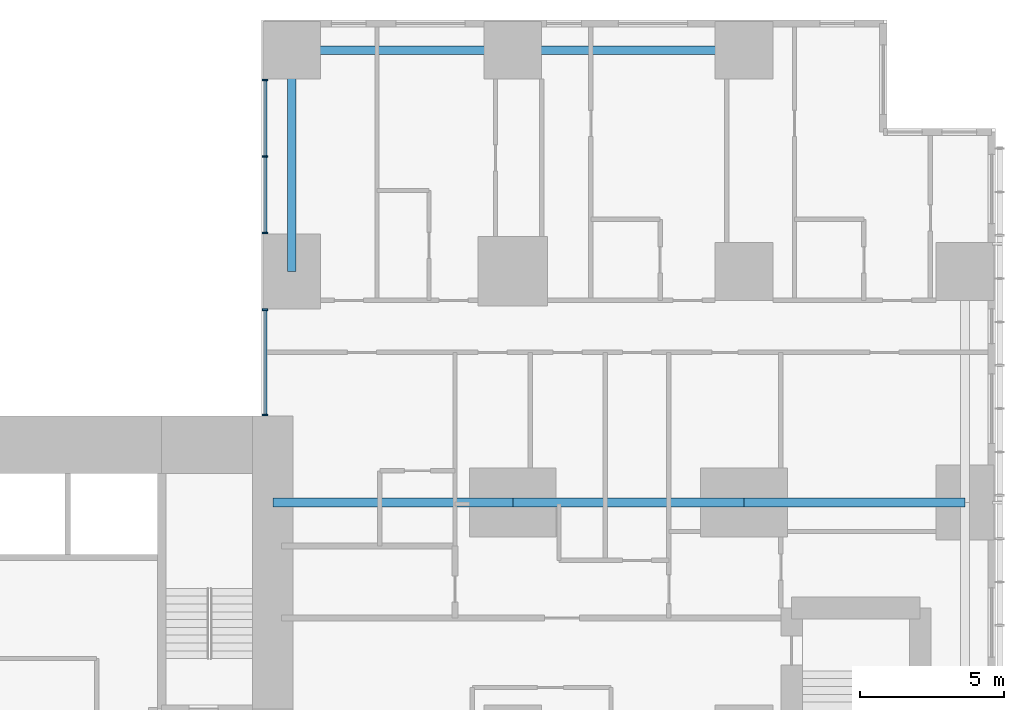
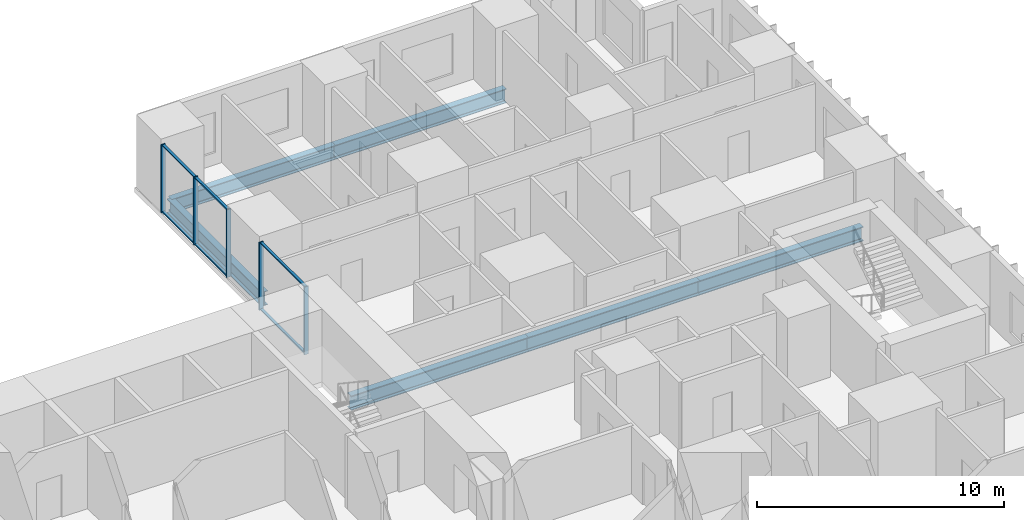
# One storey, part 5 of 20: 11 members, 6 beams, 2 elements without a shape of their own.
"""IFC4 building model written with IfcOpenShell, lengths in metres."""

from ifc_helpers import new_model, si_unit, direction, frame, origin, origin_2d, place, context, subcontext, project, spatial, rectangle, i_section, extrude, material, layer, layer_set, material_profile, profile_set, type_object, element, aggregate, save


model = new_model("IFC4")

# Units and contexts
model_context = context("Model", 3, precision=1e-05, world=origin(), true_north=direction((0.0, 1.0)))
body_context = subcontext(model_context, "Body", "Model", "MODEL_VIEW")
ifc_project = project(units=[si_unit("LENGTHUNIT", "METRE"), si_unit("AREAUNIT", "SQUARE_METRE"), si_unit("VOLUMEUNIT", "CUBIC_METRE"), si_unit("PLANEANGLEUNIT", "RADIAN"), si_unit("MASSUNIT", "GRAM", prefix="KILO")], contexts=[model_context])

# Site, building, storey
site_placement = place(None, origin())
site = spatial("IfcSite", under=ifc_project, at=site_placement, CompositionType="ELEMENT")
building_placement = place(site_placement, origin())
building = spatial("IfcBuilding", under=site, at=building_placement, Name="Cleftline Residences", CompositionType="ELEMENT")
storey_placement = place(building_placement, frame((0.0, 0.0, 62.0)))
storey = spatial("IfcBuildingStorey", under=building, at=storey_placement, Name="L15", CompositionType="ELEMENT", Elevation=62.0)

# Beams
ifc_material_1 = material(Name="Steel S355", Category="steel")
ifc_material_profile_1 = material_profile(ifc_material_1, i_section(OverallWidth=0.300048828125, OverallDepth=0.699951171875, WebThickness=0.01708984375, FlangeThickness=0.031982421875, FilletRadius=0.027099609375, at=origin_2d()))
ifc_profile_set_1 = profile_set([ifc_material_profile_1], Name="Steel S355")
beam_type_1 = type_object("IfcBeamType", Name="BEAM HEB 700", PredefinedType="BEAM", material=ifc_profile_set_1)
beam_1_placement = place(storey_placement, frame((58.0, 47.64990234375, -0.60009765625), z_axis=(-1.0, 0.0, 0.0), x_axis=(0.0, -1.0, 0.0)))
element("IfcBeam", 1, at=beam_1_placement, inside=storey, type_object=beam_type_1, Name="Edge beam", PredefinedType="BEAM", context=body_context, shape_type="SweptSolid", body=[
    extrude(i_section(OverallWidth=0.300048828125, OverallDepth=0.699951171875, WebThickness=0.01708984375, FlangeThickness=0.031982421875, FilletRadius=0.027099609375, at=origin_2d()), origin(), (0.0, 0.0, 1.0), 8.0),
])
for number, where, z_axis, x_axis, name in (
    (2, (50.0, 47.64990234375, -0.60009765625), (-1.0, 0.0, 0.0), (0.0, -1.0, 0.0), "Edge beam"),
    (3, (42.35009765625, 47.64990234375, -0.60009765625), (0.0, -1.0, 0.0), (1.0, 0.0, 0.0), "Edge beam"),
):
    element("IfcBeam", number, at=place(storey_placement, frame(where, z_axis=z_axis, x_axis=x_axis)), inside=storey, type_object=beam_type_1, Name=name, PredefinedType="BEAM", context=body_context, shape_type="SweptSolid", body=[
        extrude(i_section(OverallWidth=0.300048828125, OverallDepth=0.699951171875, WebThickness=0.01708984375, FlangeThickness=0.031982421875, FilletRadius=0.027099609375, at=origin_2d()), origin(), (0.0, 0.0, 1.0), 7.64990234375),
    ])
ifc_material_2 = material(Name="Steel S355", Category="steel")
ifc_material_profile_2 = material_profile(ifc_material_2, i_section(OverallWidth=0.303955078125, OverallDepth=0.716064453125, WebThickness=0.02099609375, FlangeThickness=0.0400390625, FilletRadius=0.027099609375, at=origin_2d()))
ifc_profile_set_2 = profile_set([ifc_material_profile_2], Name="Steel S355")
beam_type_2 = type_object("IfcBeamType", Name="BEAM HEM 700", PredefinedType="BEAM", material=ifc_profile_set_2)
beam_2_placement = place(storey_placement, frame((65.64990234375, 32.0, -0.60791015625), z_axis=(-1.0, 0.0, 0.0), x_axis=(0.0, -1.0, 0.0)))
element("IfcBeam", 4, at=beam_2_placement, inside=storey, type_object=beam_type_2, Name="Band beam", PredefinedType="BEAM", context=body_context, shape_type="SweptSolid", body=[
    extrude(i_section(OverallWidth=0.303955078125, OverallDepth=0.716064453125, WebThickness=0.02099609375, FlangeThickness=0.0400390625, FilletRadius=0.027099609375, at=origin_2d()), origin(), (0.0, 0.0, 1.0), 7.64990234375),
])
beam_3_placement = place(storey_placement, frame((58.0, 32.0, -0.60791015625), z_axis=(-1.0, 0.0, 0.0), x_axis=(0.0, -1.0, 0.0)))
element("IfcBeam", 5, at=beam_3_placement, inside=storey, type_object=beam_type_2, Name="Band beam", PredefinedType="BEAM", context=body_context, shape_type="SweptSolid", body=[
    extrude(i_section(OverallWidth=0.303955078125, OverallDepth=0.716064453125, WebThickness=0.02099609375, FlangeThickness=0.0400390625, FilletRadius=0.027099609375, at=origin_2d()), origin(), (0.0, 0.0, 1.0), 8.0),
])
beam_4_placement = place(storey_placement, frame((50.0, 32.0, -0.60791015625), z_axis=(-1.0, 0.0, 0.0), x_axis=(0.0, -1.0, 0.0)))
element("IfcBeam", 6, at=beam_4_placement, inside=storey, type_object=beam_type_2, Name="Band beam", PredefinedType="BEAM", context=body_context, shape_type="SweptSolid", body=[
    extrude(i_section(OverallWidth=0.303955078125, OverallDepth=0.716064453125, WebThickness=0.02099609375, FlangeThickness=0.0400390625, FilletRadius=0.027099609375, at=origin_2d()), origin(), (0.0, 0.0, 1.0), 8.300048828125),
])

# Curtain wall, members
ifc_material_3 = material(Name="Aluminium framed curtain wall", Category="aluminium")
ifc_layer = layer(ifc_material_3, 0.199951171875)
ifc_layer_set = layer_set([ifc_layer], Name="CW1 CLEFT GLAZING")
curtain_wall_type = type_object("IfcCurtainWallType", Name="CW1 CLEFT GLAZING", PredefinedType="NOTDEFINED", material=ifc_layer_set)
curtain_wall_1_placement = place(storey_placement, origin())
curtain_wall_1 = element("IfcCurtainWall", 7, at=curtain_wall_1_placement, inside=storey, type_object=curtain_wall_type, Name="Curtain wall CW1", PredefinedType="NOTDEFINED")
ifc_material_4 = material(Name="Aluminium mullion", Category="aluminium")
ifc_material_profile_3 = material_profile(ifc_material_4, rectangle(XDim=0.199951171875, YDim=0.06005859375, at=origin_2d()))
ifc_profile_set_3 = profile_set([ifc_material_profile_3], Name="Aluminium mullion")
member_type_1 = type_object("IfcMemberType", Name="CW1 MULLION", PredefinedType="MULLION", material=ifc_profile_set_3)
member_1_placement = place(storey_placement, frame((41.425048828125, 46.6201171875, 0.0), z_axis=(0.0, 0.0, 1.0), x_axis=(1.0, 0.0, 0.0)))
member_1 = element("IfcMember", 8, at=member_1_placement, type_object=member_type_1, Name="CW1 mullion 1", PredefinedType="MULLION", context=body_context, shape_type="SweptSolid", body=[
    extrude(rectangle(XDim=0.199951171875, YDim=0.06005859375, at=origin_2d()), origin(), (0.0, 0.0, 1.0), 3.35009765625),
])
member_2_placement = place(storey_placement, frame((41.425048828125, 43.97509765625, 0.0), z_axis=(0.0, 0.0, 1.0), x_axis=(1.0, 0.0, 0.0)))
member_2 = element("IfcMember", 9, at=member_2_placement, type_object=member_type_1, Name="CW1 mullion 2", PredefinedType="MULLION", context=body_context, shape_type="SweptSolid", body=[
    extrude(rectangle(XDim=0.199951171875, YDim=0.06005859375, at=origin_2d()), origin(), (0.0, 0.0, 1.0), 3.35009765625),
])
member_3_placement = place(storey_placement, frame((41.425048828125, 41.330078125, 0.0), z_axis=(0.0, 0.0, 1.0), x_axis=(1.0, 0.0, 0.0)))
member_3 = element("IfcMember", 10, at=member_3_placement, type_object=member_type_1, Name="CW1 mullion 3", PredefinedType="MULLION", context=body_context, shape_type="SweptSolid", body=[
    extrude(rectangle(XDim=0.199951171875, YDim=0.06005859375, at=origin_2d()), origin(), (0.0, 0.0, 1.0), 3.35009765625),
])

curtain_wall_2_placement = place(storey_placement, origin())
curtain_wall_2 = element("IfcCurtainWall", 11, at=curtain_wall_2_placement, inside=storey, type_object=curtain_wall_type, Name="Curtain wall CW1", PredefinedType="NOTDEFINED")
member_4_placement = place(storey_placement, frame((41.425048828125, 38.669921875, 0.0), z_axis=(0.0, 0.0, 1.0), x_axis=(1.0, 0.0, 0.0)))
member_4 = element("IfcMember", 12, at=member_4_placement, type_object=member_type_1, Name="CW1 mullion 1", PredefinedType="MULLION", context=body_context, shape_type="SweptSolid", body=[
    extrude(rectangle(XDim=0.199951171875, YDim=0.06005859375, at=origin_2d()), origin(), (0.0, 0.0, 1.0), 3.35009765625),
])
member_5_placement = place(storey_placement, frame((41.425048828125, 35.030029296875, 0.0), z_axis=(0.0, 0.0, 1.0), x_axis=(1.0, 0.0, 0.0)))
member_5 = element("IfcMember", 13, at=member_5_placement, type_object=member_type_1, Name="CW1 mullion 2", PredefinedType="MULLION", context=body_context, shape_type="SweptSolid", body=[
    extrude(rectangle(XDim=0.199951171875, YDim=0.06005859375, at=origin_2d()), origin(), (0.0, 0.0, 1.0), 3.35009765625),
])

# Member
ifc_material_5 = material(Name="Aluminium transom", Category="aluminium")
ifc_material_profile_4 = material_profile(ifc_material_5, rectangle(XDim=0.1201171875, YDim=0.06005859375, at=origin_2d()))
ifc_profile_set_4 = profile_set([ifc_material_profile_4], Name="Aluminium transom")
member_type_2 = type_object("IfcMemberType", Name="CW1 TRANSOM", PredefinedType="USERDEFINED", material=ifc_profile_set_4)
member_6_placement = place(storey_placement, frame((41.425048828125, 46.590087890625, 0.030029296875), z_axis=(0.0, -1.0, 0.0), x_axis=(1.0, 0.0, 0.0)))
member_6 = element("IfcMember", 14, at=member_6_placement, type_object=member_type_2, Name="CW1 transom 1.1", ObjectType="TRANSOM", PredefinedType="USERDEFINED", context=body_context, shape_type="SweptSolid", body=[
    extrude(rectangle(XDim=0.1201171875, YDim=0.06005859375, at=origin_2d()), origin(), (0.0, 0.0, 1.0), 2.585205078125),
])

member_7_placement = place(storey_placement, frame((41.425048828125, 46.590087890625, 3.320068359375), z_axis=(0.0, -1.0, 0.0), x_axis=(1.0, 0.0, 0.0)))
member_7 = element("IfcMember", 15, at=member_7_placement, type_object=member_type_2, Name="CW1 transom 1.2", ObjectType="TRANSOM", PredefinedType="USERDEFINED", context=body_context, shape_type="SweptSolid", body=[
    extrude(rectangle(XDim=0.1201171875, YDim=0.06005859375, at=origin_2d()), origin(), (0.0, 0.0, 1.0), 2.585205078125),
])

member_8_placement = place(storey_placement, frame((41.425048828125, 43.945068359375, 0.030029296875), z_axis=(0.0, -1.0, 0.0), x_axis=(1.0, 0.0, 0.0)))
member_8 = element("IfcMember", 16, at=member_8_placement, type_object=member_type_2, Name="CW1 transom 2.1", ObjectType="TRANSOM", PredefinedType="USERDEFINED", context=body_context, shape_type="SweptSolid", body=[
    extrude(rectangle(XDim=0.1201171875, YDim=0.06005859375, at=origin_2d()), origin(), (0.0, 0.0, 1.0), 2.5849609375),
])

member_9_placement = place(storey_placement, frame((41.425048828125, 43.945068359375, 3.320068359375), z_axis=(0.0, -1.0, 0.0), x_axis=(1.0, 0.0, 0.0)))
member_9 = element("IfcMember", 17, at=member_9_placement, type_object=member_type_2, Name="CW1 transom 2.2", ObjectType="TRANSOM", PredefinedType="USERDEFINED", context=body_context, shape_type="SweptSolid", body=[
    extrude(rectangle(XDim=0.1201171875, YDim=0.06005859375, at=origin_2d()), origin(), (0.0, 0.0, 1.0), 2.5849609375),
])

aggregate(curtain_wall_1, [member_1, member_2, member_3, member_6, member_7, member_8, member_9])

member_10_placement = place(storey_placement, frame((41.425048828125, 38.639892578125, 0.030029296875), z_axis=(0.0, -1.0, 0.0), x_axis=(1.0, 0.0, 0.0)))
member_10 = element("IfcMember", 18, at=member_10_placement, type_object=member_type_2, Name="CW1 transom 1.1", ObjectType="TRANSOM", PredefinedType="USERDEFINED", context=body_context, shape_type="SweptSolid", body=[
    extrude(rectangle(XDim=0.1201171875, YDim=0.06005859375, at=origin_2d()), origin(), (0.0, 0.0, 1.0), 3.579833984375),
])

member_11_placement = place(storey_placement, frame((41.425048828125, 38.639892578125, 3.320068359375), z_axis=(0.0, -1.0, 0.0), x_axis=(1.0, 0.0, 0.0)))
member_11 = element("IfcMember", 19, at=member_11_placement, type_object=member_type_2, Name="CW1 transom 1.2", ObjectType="TRANSOM", PredefinedType="USERDEFINED", context=body_context, shape_type="SweptSolid", body=[
    extrude(rectangle(XDim=0.1201171875, YDim=0.06005859375, at=origin_2d()), origin(), (0.0, 0.0, 1.0), 3.579833984375),
])

aggregate(curtain_wall_2, [member_4, member_5, member_10, member_11])

save(model, "model.ifc")
